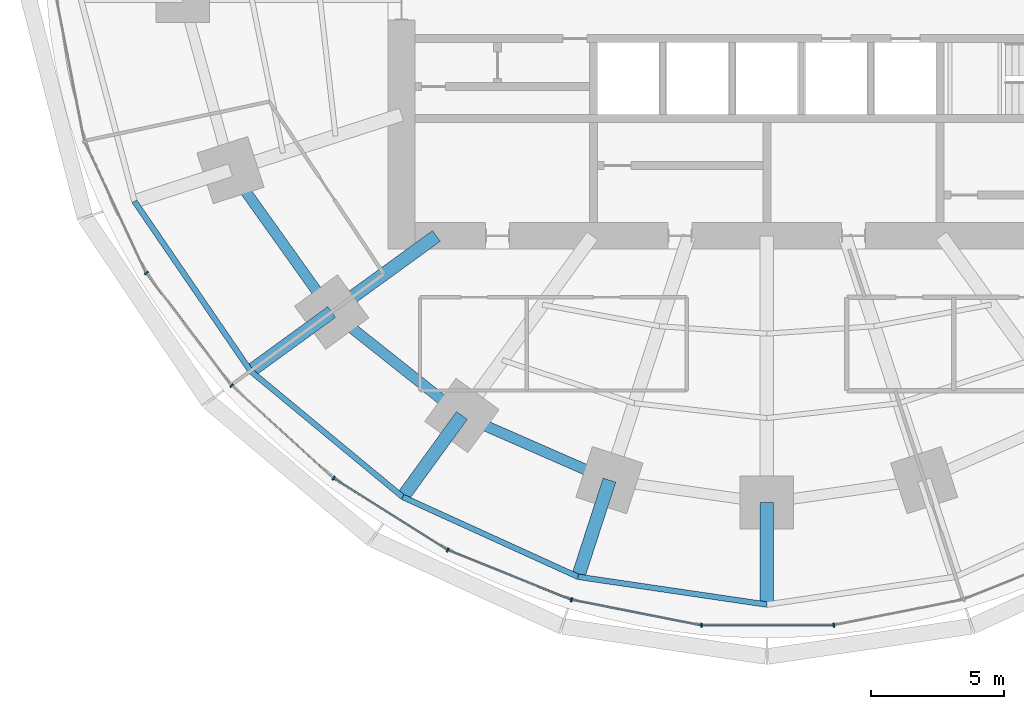
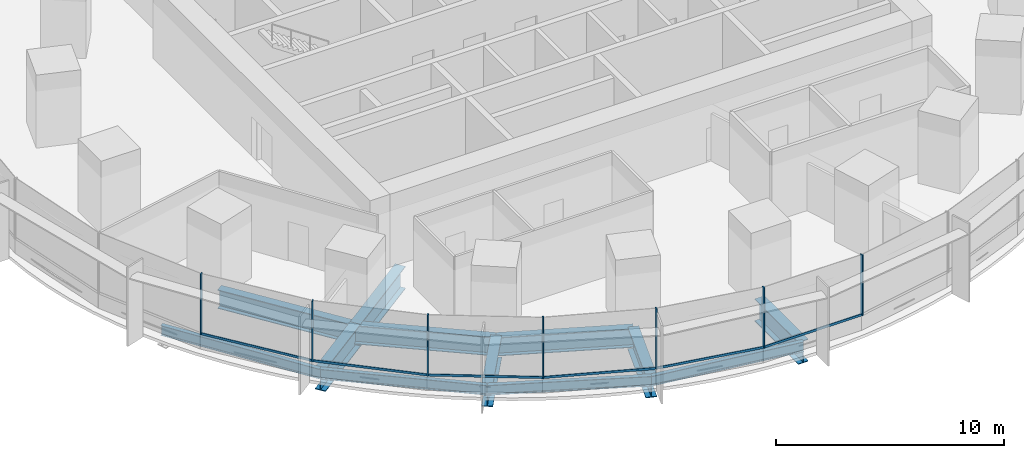
# One storey, part 2 of 15: 13 members, 12 beams, 2 elements without a shape of their own.
"""IFC4 building model written with IfcOpenShell, lengths in metres."""

import ifcopenshell
import ifcopenshell.guid

model = None  # the IFC model being written
_history = None  # IfcOwnerHistory: only IFC2X3 demands one
_inside = {}  # id of a spatial element -> (the spatial element, [elements in it])
_under = {}  # id of a project, library or spatial element -> (it, [spatial elements below it])
_declared = {}  # id of a project -> (the project, [libraries it declares])
_typed = {}  # id of a type object -> (the type object, [elements of that type])
_made_of = {}  # id of a material, layer set ... -> (it, [elements and type objects made of it])


def new_model(schema):
    """Start an empty IFC model of exactly this schema.

    Asked for "IFC4X3", IfcOpenShell would pick the latest addendum, in which some entities
    have other attributes; the version numbers below select the first issue.
    IFC2X3 requires an IfcOwnerHistory on every rooted entity: one is made here for all.
    """
    global model, _history
    if schema == "IFC4X3":
        model = ifcopenshell.file(schema_version=(4, 3, 0, 0))
    else:
        model = ifcopenshell.file(schema=schema)
    _inside.clear()
    _under.clear()
    _declared.clear()
    _typed.clear()
    _made_of.clear()
    _history = None
    if model.schema == "IFC2X3":
        org = make("IfcOrganization", Name="unknown")
        user = make(
            "IfcPersonAndOrganization",
            ThePerson=make("IfcPerson", FamilyName="unknown"),
            TheOrganization=org,
        )
        app = make(
            "IfcApplication",
            ApplicationDeveloper=org,
            Version="unknown",
            ApplicationFullName="unknown",
            ApplicationIdentifier="unknown",
        )
        _history = make(
            "IfcOwnerHistory",
            OwningUser=user,
            OwningApplication=app,
            ChangeAction="ADDED",
            CreationDate=0,
        )
    return model


def make(cls, **values):
    """One entity of the class cls with the attributes given. An attribute that is None is left unset."""
    return model.create_entity(
        cls, **{name: value for name, value in values.items() if value is not None}
    )


def rooted(cls, **values):
    """An entity with a GlobalId (a new one), such as an element, a storey or a relation."""
    return make(cls, GlobalId=ifcopenshell.guid.new(), OwnerHistory=_history, **values)


def si_unit(unit_type, name, prefix=None):
    """IfcSIUnit, for example si_unit("LENGTHUNIT", "METRE", prefix="MILLI")."""
    return make("IfcSIUnit", UnitType=unit_type, Prefix=prefix, Name=name)


def assignment(units):
    """IfcUnitAssignment: the units of a project."""
    return None if units is None else make("IfcUnitAssignment", Units=units)


def point(xyz):
    """IfcCartesianPoint."""
    return None if xyz is None else make("IfcCartesianPoint", Coordinates=xyz)


def direction(xyz):
    """IfcDirection."""
    return None if xyz is None else make("IfcDirection", DirectionRatios=xyz)


def frame(location, z_axis=None, x_axis=None):
    """IfcAxis2Placement3D, a coordinate frame: its origin and axes. An axis left out is left unset."""
    return make(
        "IfcAxis2Placement3D",
        Location=point(location),
        Axis=direction(z_axis),
        RefDirection=direction(x_axis),
    )


def frame_2d(location, x_axis=None):
    """IfcAxis2Placement2D, a coordinate frame in the plane: its origin and x axis."""
    return make(
        "IfcAxis2Placement2D", Location=point(location), RefDirection=direction(x_axis)
    )


def origin():
    """The frame at (0, 0, 0) with its axes left unset."""
    return frame((0.0, 0.0, 0.0))


def origin_2d():
    """The frame at (0, 0) in the plane with its x axis left unset."""
    return frame_2d((0.0, 0.0))


def place(relative_to, where):
    """IfcLocalPlacement: puts the frame where relative to a parent placement (None: the world)."""
    return make(
        "IfcLocalPlacement", PlacementRelTo=relative_to, RelativePlacement=where
    )


def context(
    kind, dimensions, precision=None, world=None, true_north=None, identifier=None
):
    """IfcGeometricRepresentationContext, for example the 3D "Model" context."""
    return make(
        "IfcGeometricRepresentationContext",
        ContextIdentifier=identifier,
        ContextType=kind,
        CoordinateSpaceDimension=dimensions,
        Precision=precision,
        WorldCoordinateSystem=world,
        TrueNorth=true_north,
    )


def subcontext(parent, identifier, kind, view, scale=None):
    """IfcGeometricRepresentationSubContext, for example "Body" below "Model"."""
    return make(
        "IfcGeometricRepresentationSubContext",
        ContextIdentifier=identifier,
        ContextType=kind,
        ParentContext=parent,
        TargetScale=scale,
        TargetView=view,
    )


def project(units=None, contexts=None):
    """IfcProject with its units and contexts."""
    return rooted(
        "IfcProject",
        Name="project",
        RepresentationContexts=contexts,
        UnitsInContext=assignment(units),
    )


def spatial(cls, under=None, at=None, **own):
    """A site, building, storey or space (cls), placed at a placement, below another one or the project."""
    s = rooted(cls, ObjectPlacement=at, **own)
    if under is not None:
        _under.setdefault(under.id(), (under, []))[1].append(s)
    return s


def profile(cls, at=None, kind="AREA", **sizes):
    """A parametric profile (cls). Its sizes go by their IFC names, for example OverallWidth=200.0."""
    return make(cls, ProfileType=kind, Position=at, **sizes)


def rectangle(**sizes):
    """IfcRectangleProfileDef."""
    return profile("IfcRectangleProfileDef", **sizes)


def i_section(**sizes):
    """IfcIShapeProfileDef."""
    return profile("IfcIShapeProfileDef", **sizes)


def extrude(swept, where, along, depth):
    """IfcExtrudedAreaSolid: the profile swept, set in the frame where, extruded along a direction by depth."""
    return make(
        "IfcExtrudedAreaSolid",
        SweptArea=swept,
        Position=where,
        ExtrudedDirection=direction(along),
        Depth=depth,
    )


def shape(context_of_items, identifier, shape_type, items):
    """IfcShapeRepresentation: the items that make up one representation, for example the "Body"."""
    return make(
        "IfcShapeRepresentation",
        ContextOfItems=context_of_items,
        RepresentationIdentifier=identifier,
        RepresentationType=shape_type,
        Items=items,
    )


def material(Name=None, Category=None):
    """IfcMaterial."""
    return make("IfcMaterial", Name=Name, Category=Category)


def material_profile(
    of_material, cross_section, Name=None, Category=None, Priority=None
):
    """IfcMaterialProfile: a cross section and its material."""
    return make(
        "IfcMaterialProfile",
        Name=Name,
        Material=of_material,
        Profile=cross_section,
        Priority=Priority,
        Category=Category,
    )


def profile_set(profiles, Name=None, composite=None):
    """IfcMaterialProfileSet."""
    return make(
        "IfcMaterialProfileSet",
        Name=Name,
        MaterialProfiles=profiles,
        CompositeProfile=composite,
    )


def made_of(thing, what):
    """Note that an element or type object is made of a material, layer set ...; save() writes the relation."""
    if what is not None:
        _made_of.setdefault(what.id(), (what, []))[1].append(thing)
    return thing


def type_object(cls, material=None, **own):
    """A type object (cls), such as IfcWallType, which elements share."""
    return made_of(rooted(cls, **own), material)


def element(
    cls,
    number,
    at=None,
    inside=None,
    cuts=None,
    type_object=None,
    material=None,
    context=None,
    identifier="Body",
    shape_type=None,
    held_by="IfcProductDefinitionShape",
    body=None,
    shapes=None,
    **own,
):
    """One element of the class cls, such as IfcWall. Its Tag is "e" and its number.

    at: its placement. inside: the storey or other place that contains it. cuts: it is an
    opening in that element (IfcRelVoidsElement). A single representation is given by context,
    identifier, shape_type and body (its items); several are given by shapes. held_by: the class
    of the entity that holds the representations. save() writes the other relations.
    """
    e = rooted(cls, Tag="e%d" % number, ObjectPlacement=at, **own)
    if body is not None:
        shapes = [shape(context, identifier, shape_type, body)]
    if shapes is not None:
        e.Representation = make(held_by, Representations=shapes)
    if inside is not None:
        _inside.setdefault(inside.id(), (inside, []))[1].append(e)
    if cuts is not None:
        rooted(
            "IfcRelVoidsElement", RelatingBuildingElement=cuts, RelatedOpeningElement=e
        )
    if type_object is not None:
        _typed.setdefault(type_object.id(), (type_object, []))[1].append(e)
    return made_of(e, material)


def aggregate(whole, parts):
    """IfcRelAggregates: a whole, such as a stair, and the parts it consists of."""
    return rooted("IfcRelAggregates", RelatingObject=whole, RelatedObjects=parts)


def save(model, path):
    """Write the relations noted so far, then the file.

    IfcRelAggregates (storeys below a building ...), IfcRelContainedInSpatialStructure (elements
    in a storey), IfcRelDefinesByType, IfcRelAssociatesMaterial and IfcRelDeclares: one each for
    every whole, place, type object, material and project.
    """
    for whole, parts in _under.values():
        aggregate(whole, parts)
    for where, things in _inside.values():
        rooted(
            "IfcRelContainedInSpatialStructure",
            RelatedElements=things,
            RelatingStructure=where,
        )
    for kind, things in _typed.values():
        rooted("IfcRelDefinesByType", RelatedObjects=things, RelatingType=kind)
    for what, things in _made_of.values():
        rooted("IfcRelAssociatesMaterial", RelatedObjects=things, RelatingMaterial=what)
    for by, libraries in _declared.values():
        rooted("IfcRelDeclares", RelatingContext=by, RelatedDefinitions=libraries)
    model.write(path)


model = new_model("IFC4")

# Units and contexts
model_context = context("Model", 3, precision=1e-05, world=origin(), true_north=direction((0.0, 1.0)))
body_context = subcontext(model_context, "Body", "Model", "MODEL_VIEW")
ifc_project = project(units=[si_unit("LENGTHUNIT", "METRE"), si_unit("AREAUNIT", "SQUARE_METRE"), si_unit("VOLUMEUNIT", "CUBIC_METRE"), si_unit("PLANEANGLEUNIT", "RADIAN"), si_unit("MASSUNIT", "GRAM", prefix="KILO")], contexts=[model_context])

# Site, building, storey
site_placement = place(None, origin())
site = spatial("IfcSite", under=ifc_project, at=site_placement, CompositionType="ELEMENT")
building_placement = place(site_placement, origin())
building = spatial("IfcBuilding", under=site, at=building_placement, Name="Marramba Exchange Tower", CompositionType="ELEMENT")
storey_placement = place(building_placement, frame((0.0, 0.0, 23.800048828125)))
storey = spatial("IfcBuildingStorey", under=building, at=storey_placement, Name="L05", CompositionType="ELEMENT", Elevation=23.800048828125)

# Beams
ifc_material_1 = material(Name="Steel AS/NZS 3679.2 grade 300", Category="steel")
ifc_material_profile_1 = material_profile(ifc_material_1, i_section(OverallWidth=0.5, OverallDepth=1.199951171875, WebThickness=0.01611328125, FlangeThickness=0.0400390625, at=origin_2d()), Name="1200WB455")
ifc_profile_set_1 = profile_set([ifc_material_profile_1], Name="Steel AS/NZS 3679.2 grade 300")
beam_type_1 = type_object("IfcBeamType", Name="Cantilever girder 1200WB455", PredefinedType="BEAM", material=ifc_profile_set_1)
beam_1_placement = place(storey_placement, frame((-16.3154296875, -11.853759765625, -0.760009765625), z_axis=(-0.809008346081, -0.587797155463, 0.0), x_axis=(0.587797155463, -0.809008346081, 0.0)))
element("IfcBeam", 1, at=beam_1_placement, inside=storey, type_object=beam_type_1, Name="Cantilever girder L05 TC13", PredefinedType="BEAM", context=body_context, shape_type="SweptSolid", body=[
    extrude(i_section(OverallWidth=0.5, OverallDepth=1.199951171875, WebThickness=0.01611328125, FlangeThickness=0.0400390625, at=origin_2d()), origin(), (0.0, 0.0, 1.0), 3.76025390625),
])
beam_2_placement = place(storey_placement, frame((-11.430419921875, -15.732666015625, -0.760009765625), z_axis=(-0.587787232741, -0.809015555491, 0.0), x_axis=(0.809015555491, -0.587787232741, 0.0)))
element("IfcBeam", 2, at=beam_2_placement, inside=storey, type_object=beam_type_1, Name="Cantilever girder L05 TC14", PredefinedType="BEAM", context=body_context, shape_type="SweptSolid", body=[
    extrude(i_section(OverallWidth=0.5, OverallDepth=1.199951171875, WebThickness=0.01611328125, FlangeThickness=0.0400390625, at=origin_2d()), origin(), (0.0, 0.0, 1.0), 3.7763671875),
])
beam_3_placement = place(storey_placement, frame((-5.899658203125, -18.156982421875, -0.760009765625), z_axis=(-0.309009272901, -0.951059025119, 0.0), x_axis=(0.951059025119, -0.309009272901, 0.0)))
element("IfcBeam", 3, at=beam_3_placement, inside=storey, type_object=beam_type_1, Name="Cantilever girder L05 TC15", PredefinedType="BEAM", context=body_context, shape_type="SweptSolid", body=[
    extrude(i_section(OverallWidth=0.5, OverallDepth=1.199951171875, WebThickness=0.01611328125, FlangeThickness=0.0400390625, at=origin_2d()), origin(), (0.0, 0.0, 1.0), 3.809814453125),
])
beam_4_placement = place(storey_placement, frame((0.0, -18.99609375, -0.760009765625), z_axis=(0.0, -1.0, 0.0), x_axis=(1.0, 0.0, 0.0)))
element("IfcBeam", 4, at=beam_4_placement, inside=storey, type_object=beam_type_1, Name="Cantilever girder L05 TC16", PredefinedType="BEAM", context=body_context, shape_type="SweptSolid", body=[
    extrude(i_section(OverallWidth=0.5, OverallDepth=1.199951171875, WebThickness=0.01611328125, FlangeThickness=0.0400390625, at=origin_2d()), origin(), (0.0, 0.0, 1.0), 3.825927734375),
])
ifc_material_profile_2 = material_profile(ifc_material_1, i_section(OverallWidth=0.5, OverallDepth=1.199951171875, WebThickness=0.01611328125, FlangeThickness=0.0400390625, at=origin_2d()), Name="1200WB455")
ifc_profile_set_2 = profile_set([ifc_material_profile_2], Name="Steel AS/NZS 3679.2 grade 300")
beam_type_2 = type_object("IfcBeamType", Name="Radial girder 1200WB455", PredefinedType="BEAM", material=ifc_profile_set_2)
beam_5_placement = place(storey_placement, frame((-12.387451171875, -9.0, -0.760009765625), z_axis=(-0.809025189606, -0.58777397236, 0.0), x_axis=(0.58777397236, -0.809025189606, 0.0)))
element("IfcBeam", 5, at=beam_5_placement, inside=storey, type_object=beam_type_2, Name="Radial girder L05 TC13", PredefinedType="BEAM", context=body_context, shape_type="SweptSolid", body=[
    extrude(i_section(OverallWidth=0.5, OverallDepth=1.199951171875, WebThickness=0.01611328125, FlangeThickness=0.0400390625, at=origin_2d()), origin(), (0.0, 0.0, 1.0), 4.855224609375),
])
ifc_material_profile_3 = material_profile(ifc_material_1, i_section(OverallWidth=0.39990234375, OverallDepth=1.0, WebThickness=0.01611328125, FlangeThickness=0.031982421875, at=origin_2d()), Name="1000WB322")
ifc_profile_set_3 = profile_set([ifc_material_profile_3], Name="Steel AS/NZS 3679.2 grade 300")
beam_type_3 = type_object("IfcBeamType", Name="Ring beam 1000WB322", PredefinedType="SPANDREL", material=ifc_profile_set_3)
beam_6_placement = place(storey_placement, frame((-20.109375, -6.533935546875, -0.66015625), z_axis=(0.580637181111, -0.814162430914, 0.0), x_axis=(0.814162430914, 0.580637181111, 0.0)))
element("IfcBeam", 6, at=beam_6_placement, inside=storey, type_object=beam_type_3, Name="Ring beam L05 TC12-TC13", PredefinedType="SPANDREL", context=body_context, shape_type="SweptSolid", body=[
    extrude(i_section(OverallWidth=0.39990234375, OverallDepth=1.0, WebThickness=0.01611328125, FlangeThickness=0.031982421875, at=origin_2d()), origin(), (0.0, 0.0, 1.0), 6.5341796875),
])
beam_7_placement = place(storey_placement, frame((-16.3154296875, -11.853759765625, -0.66015625), z_axis=(0.783139438128, -0.621846138887, 0.0), x_axis=(0.621846138887, 0.783139438128, 0.0)))
element("IfcBeam", 7, at=beam_7_placement, inside=storey, type_object=beam_type_3, Name="Ring beam L05 TC13-TC14", PredefinedType="SPANDREL", context=body_context, shape_type="SweptSolid", body=[
    extrude(i_section(OverallWidth=0.39990234375, OverallDepth=1.0, WebThickness=0.01611328125, FlangeThickness=0.031982421875, at=origin_2d()), origin(), (0.0, 0.0, 1.0), 6.23779296875),
])
beam_8_placement = place(storey_placement, frame((-11.430419921875, -15.732666015625, -0.66015625), z_axis=(0.915876892158, -0.4014592363, 0.0), x_axis=(0.4014592363, 0.915876892158, 0.0)))
element("IfcBeam", 8, at=beam_8_placement, inside=storey, type_object=beam_type_3, Name="Ring beam L05 TC14-TC15", PredefinedType="SPANDREL", context=body_context, shape_type="SweptSolid", body=[
    extrude(i_section(OverallWidth=0.39990234375, OverallDepth=1.0, WebThickness=0.01611328125, FlangeThickness=0.031982421875, at=origin_2d()), origin(), (0.0, 0.0, 1.0), 6.038818359375),
])
ifc_material_2 = material(Name="Steel AS/NZS 3679.1 grade 300", Category="steel")
ifc_material_profile_4 = material_profile(ifc_material_2, i_section(OverallWidth=0.208984375, OverallDepth=0.528076171875, WebThickness=0.009521484375, FlangeThickness=0.01318359375, FilletRadius=0.013916015625, at=origin_2d()), Name="530UB82.0")
ifc_profile_set_4 = profile_set([ifc_material_profile_4], Name="Steel AS/NZS 3679.1 grade 300")
beam_type_4 = type_object("IfcBeamType", Name="Slab edge beam 530UB82.0", PredefinedType="SPANDREL", material=ifc_profile_set_4)
beam_9_placement = place(storey_placement, frame((-23.709716796875, -7.703857421875, -0.424072265625), z_axis=(0.564740697285, -0.82526840775, 0.0), x_axis=(0.82526840775, 0.564740697285, 0.0)))
element("IfcBeam", 9, at=beam_9_placement, inside=storey, type_object=beam_type_4, Name="Slab edge beam L05 TC12-TC13", PredefinedType="SPANDREL", context=body_context, shape_type="SweptSolid", body=[
    extrude(i_section(OverallWidth=0.208984375, OverallDepth=0.528076171875, WebThickness=0.009521484375, FlangeThickness=0.01318359375, FilletRadius=0.013916015625, at=origin_2d()), origin(), (0.0, 0.0, 1.0), 7.706787109375),
])
beam_10_placement = place(storey_placement, frame((-19.357421875, -14.06396484375, -0.424072265625), z_axis=(0.770353575372, -0.637616945283, 0.0), x_axis=(0.637616945283, 0.770353575372, 0.0)))
element("IfcBeam", 10, at=beam_10_placement, inside=storey, type_object=beam_type_4, Name="Slab edge beam L05 TC13-TC14", PredefinedType="SPANDREL", context=body_context, shape_type="SweptSolid", body=[
    extrude(i_section(OverallWidth=0.208984375, OverallDepth=0.528076171875, WebThickness=0.009521484375, FlangeThickness=0.01318359375, FilletRadius=0.013916015625, at=origin_2d()), origin(), (0.0, 0.0, 1.0), 7.40869140625),
])
beam_11_placement = place(storey_placement, frame((-13.650146484375, -18.787841796875, -0.424072265625), z_axis=(0.910126690081, -0.414330071324, 0.0), x_axis=(0.414330071324, 0.910126690081, 0.0)))
element("IfcBeam", 11, at=beam_11_placement, inside=storey, type_object=beam_type_4, Name="Slab edge beam L05 TC14-TC15", PredefinedType="SPANDREL", context=body_context, shape_type="SweptSolid", body=[
    extrude(i_section(OverallWidth=0.208984375, OverallDepth=0.528076171875, WebThickness=0.009521484375, FlangeThickness=0.01318359375, FilletRadius=0.013916015625, at=origin_2d()), origin(), (0.0, 0.0, 1.0), 7.222412109375),
])
beam_12_placement = place(storey_placement, frame((-7.076904296875, -21.7802734375, -0.424072265625), z_axis=(0.989338462178, -0.145634498848, 0.0), x_axis=(0.145634498848, 0.989338462178, 0.0)))
element("IfcBeam", 12, at=beam_12_placement, inside=storey, type_object=beam_type_4, Name="Slab edge beam L05 TC15-TC16", PredefinedType="SPANDREL", context=body_context, shape_type="SweptSolid", body=[
    extrude(i_section(OverallWidth=0.208984375, OverallDepth=0.528076171875, WebThickness=0.009521484375, FlangeThickness=0.01318359375, FilletRadius=0.013916015625, at=origin_2d()), origin(), (0.0, 0.0, 1.0), 7.153076171875),
])

# Curtain wall, members
ifc_material_3 = material(Name="Aluminium framing, bronze anodised", Category="aluminium")
curtain_wall_type = type_object("IfcCurtainWallType", Name="Trading floor ribbon curtain wall", PredefinedType="USERDEFINED", material=ifc_material_3)
curtain_wall_1_placement = place(storey_placement, origin())
curtain_wall_1 = element("IfcCurtainWall", 13, at=curtain_wall_1_placement, inside=storey, type_object=curtain_wall_type, Name="Curtain wall CW3 L05 F16-F20", ObjectType="RIBBON CURTAIN WALL", PredefinedType="USERDEFINED")
ifc_material_4 = material(Name="Aluminium mullion, bronze anodised", Category="aluminium")
ifc_material_profile_5 = material_profile(ifc_material_4, rectangle(XDim=0.159912109375, YDim=0.06005859375, at=origin_2d()), Name="CW3 mullion 60x160")
ifc_profile_set_5 = profile_set([ifc_material_profile_5], Name="Aluminium mullion, bronze anodised")
member_type_1 = type_object("IfcMemberType", Name="Trading floor ribbon curtain wall mullion", PredefinedType="MULLION", material=ifc_profile_set_5)
member_1_placement = place(storey_placement, frame((-23.26318359375, -10.389404296875, 0.800048828125), z_axis=(0.0, 0.0, 1.0), x_axis=(0.797710591138, 0.603040473588, 0.0)))
member_1 = element("IfcMember", 14, at=member_1_placement, type_object=member_type_1, Name="CW3 mullion 1", PredefinedType="MULLION", context=body_context, shape_type="SweptSolid", body=[
    extrude(rectangle(XDim=0.159912109375, YDim=0.06005859375, at=origin_2d()), origin(), (0.0, 0.0, 1.0), 3.239990234375),
])
member_2_placement = place(storey_placement, frame((-20.063232421875, -14.61328125, 0.800048828125), z_axis=(0.0, 0.0, 1.0), x_axis=(0.673058133441, 0.739589581463, 0.0)))
member_2 = element("IfcMember", 15, at=member_2_placement, type_object=member_type_1, Name="CW3 mullion 1", PredefinedType="MULLION", context=body_context, shape_type="SweptSolid", body=[
    extrude(rectangle(XDim=0.159912109375, YDim=0.06005859375, at=origin_2d()), origin(), (0.0, 0.0, 1.0), 3.239990234375),
])
member_3_placement = place(storey_placement, frame((-16.242431640625, -18.083251953125, 0.800048828125), z_axis=(0.0, 0.0, 1.0), x_axis=(0.533514646612, 0.845790826298, 0.0)))
member_3 = element("IfcMember", 16, at=member_3_placement, type_object=member_type_1, Name="CW3 mullion 1", PredefinedType="MULLION", context=body_context, shape_type="SweptSolid", body=[
    extrude(rectangle(XDim=0.159912109375, YDim=0.06005859375, at=origin_2d()), origin(), (0.0, 0.0, 1.0), 3.239990234375),
])

curtain_wall_2_placement = place(storey_placement, origin())
curtain_wall_2 = element("IfcCurtainWall", 17, at=curtain_wall_2_placement, inside=storey, type_object=curtain_wall_type, Name="Curtain wall CW3 L05 F21-F25", ObjectType="RIBBON CURTAIN WALL", PredefinedType="USERDEFINED")
member_4_placement = place(storey_placement, frame((-11.96142578125, -20.77734375, 0.800048828125), z_axis=(0.0, 0.0, 1.0), x_axis=(0.374218219325, 0.927340673283, 0.0)))
member_4 = element("IfcMember", 18, at=member_4_placement, type_object=member_type_1, Name="CW3 mullion 1", PredefinedType="MULLION", context=body_context, shape_type="SweptSolid", body=[
    extrude(rectangle(XDim=0.159912109375, YDim=0.06005859375, at=origin_2d()), origin(), (0.0, 0.0, 1.0), 3.239990234375),
])
member_5_placement = place(storey_placement, frame((-7.325439453125, -22.64208984375, 0.800048828125), z_axis=(0.0, 0.0, 1.0), x_axis=(0.193961202977, 0.98100920064, 0.0)))
member_5 = element("IfcMember", 19, at=member_5_placement, type_object=member_type_1, Name="CW3 mullion 1", PredefinedType="MULLION", context=body_context, shape_type="SweptSolid", body=[
    extrude(rectangle(XDim=0.159912109375, YDim=0.06005859375, at=origin_2d()), origin(), (0.0, 0.0, 1.0), 3.239990234375),
])
member_6_placement = place(storey_placement, frame((-2.450439453125, -23.599853515625, 0.800048828125), z_axis=(0.0, 0.0, 1.0), x_axis=(0.0, 1.0, 0.0)))
member_6 = element("IfcMember", 20, at=member_6_placement, type_object=member_type_1, Name="CW3 mullion 1", PredefinedType="MULLION", context=body_context, shape_type="SweptSolid", body=[
    extrude(rectangle(XDim=0.159912109375, YDim=0.06005859375, at=origin_2d()), origin(), (0.0, 0.0, 1.0), 3.239990234375),
])
member_7_placement = place(storey_placement, frame((2.509765625, -23.59423828125, 0.800048828125), z_axis=(0.0, 0.0, 1.0), x_axis=(-0.193961202977, 0.98100920064, 0.0)))
member_7 = element("IfcMember", 21, at=member_7_placement, type_object=member_type_1, Name="CW3 mullion 1", PredefinedType="MULLION", context=body_context, shape_type="SweptSolid", body=[
    extrude(rectangle(XDim=0.159912109375, YDim=0.06005859375, at=origin_2d()), origin(), (0.0, 0.0, 1.0), 3.239990234375),
])

# Member
ifc_material_5 = material(Name="Aluminium transom, bronze anodised", Category="aluminium")
ifc_material_profile_6 = material_profile(ifc_material_5, rectangle(XDim=0.06005859375, YDim=0.1201171875, at=origin_2d()), Name="CW3 transom 60x120")
ifc_profile_set_6 = profile_set([ifc_material_profile_6], Name="Aluminium transom, bronze anodised")
member_type_2 = type_object("IfcMemberType", Name="Trading floor ribbon curtain wall transom", PredefinedType="USERDEFINED", material=ifc_profile_set_6)
member_8_placement = place(storey_placement, frame((-23.2451171875, -10.413330078125, 0.829833984375), z_axis=(0.603037409419, -0.797712907531, 0.0), x_axis=(0.797712907531, 0.603037409419, 0.0)))
member_8 = element("IfcMember", 22, at=member_8_placement, type_object=member_type_2, Name="CW3 sill transom", ObjectType="TRANSOM", PredefinedType="USERDEFINED", context=body_context, shape_type="SweptSolid", body=[
    extrude(rectangle(XDim=0.06005859375, YDim=0.1201171875, at=origin_2d()), origin(), (0.0, 0.0, 1.0), 5.239501953125),
])

member_9_placement = place(storey_placement, frame((-20.041015625, -14.63330078125, 0.829833984375), z_axis=(0.739582688456, -0.673065707741, 0.0), x_axis=(0.673065707741, 0.739582688456, 0.0)))
member_9 = element("IfcMember", 23, at=member_9_placement, type_object=member_type_2, Name="CW3 sill transom", ObjectType="TRANSOM", PredefinedType="USERDEFINED", context=body_context, shape_type="SweptSolid", body=[
    extrude(rectangle(XDim=0.06005859375, YDim=0.1201171875, at=origin_2d()), origin(), (0.0, 0.0, 1.0), 5.101806640625),
])

member_10_placement = place(storey_placement, frame((-16.217041015625, -18.09912109375, 0.829833984375), z_axis=(0.845776602594, -0.533537195053, 0.0), x_axis=(0.533537195053, 0.845776602594, 0.0)))
member_10 = element("IfcMember", 24, at=member_10_placement, type_object=member_type_2, Name="CW3 sill transom", ObjectType="TRANSOM", PredefinedType="USERDEFINED", context=body_context, shape_type="SweptSolid", body=[
    extrude(rectangle(XDim=0.06005859375, YDim=0.1201171875, at=origin_2d()), origin(), (0.0, 0.0, 1.0), 4.998779296875),
])

aggregate(curtain_wall_1, [member_1, member_8, member_2, member_9, member_3, member_10])

member_11_placement = place(storey_placement, frame((-11.93359375, -20.78857421875, 0.829833984375), z_axis=(0.927340197166, -0.374219399176, 0.0), x_axis=(0.374219399176, 0.927340197166, 0.0)))
member_11 = element("IfcMember", 25, at=member_11_placement, type_object=member_type_2, Name="CW3 sill transom", ObjectType="TRANSOM", PredefinedType="USERDEFINED", context=body_context, shape_type="SweptSolid", body=[
    extrude(rectangle(XDim=0.06005859375, YDim=0.1201171875, at=origin_2d()), origin(), (0.0, 0.0, 1.0), 4.937255859375),
])

member_12_placement = place(storey_placement, frame((-7.296142578125, -22.64794921875, 0.829833984375), z_axis=(0.981018169547, -0.193915834883, 0.0), x_axis=(0.193915834883, 0.981018169547, 0.0)))
member_12 = element("IfcMember", 26, at=member_12_placement, type_object=member_type_2, Name="CW3 sill transom", ObjectType="TRANSOM", PredefinedType="USERDEFINED", context=body_context, shape_type="SweptSolid", body=[
    extrude(rectangle(XDim=0.06005859375, YDim=0.1201171875, at=origin_2d()), origin(), (0.0, 0.0, 1.0), 4.908935546875),
])

member_13_placement = place(storey_placement, frame((-2.42041015625, -23.599853515625, 0.829833984375), z_axis=(1.0, 0.0, 0.0), x_axis=(0.0, 1.0, 0.0)))
member_13 = element("IfcMember", 27, at=member_13_placement, type_object=member_type_2, Name="CW3 sill transom", ObjectType="TRANSOM", PredefinedType="USERDEFINED", context=body_context, shape_type="SweptSolid", body=[
    extrude(rectangle(XDim=0.06005859375, YDim=0.1201171875, at=origin_2d()), origin(), (0.0, 0.0, 1.0), 4.90087890625),
])

aggregate(curtain_wall_2, [member_4, member_11, member_5, member_12, member_6, member_13, member_7])

save(model, "model.ifc")
